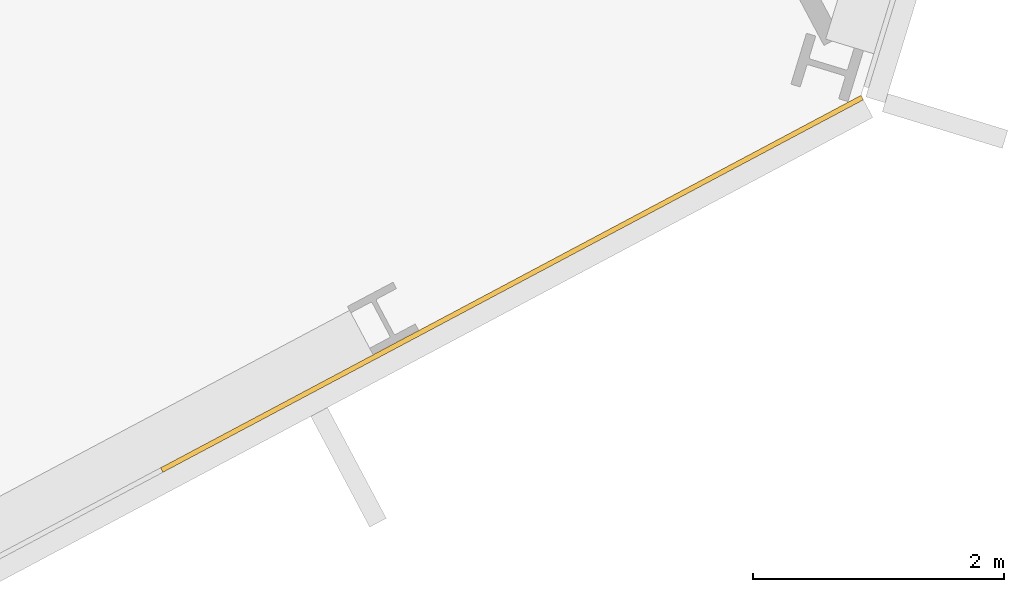
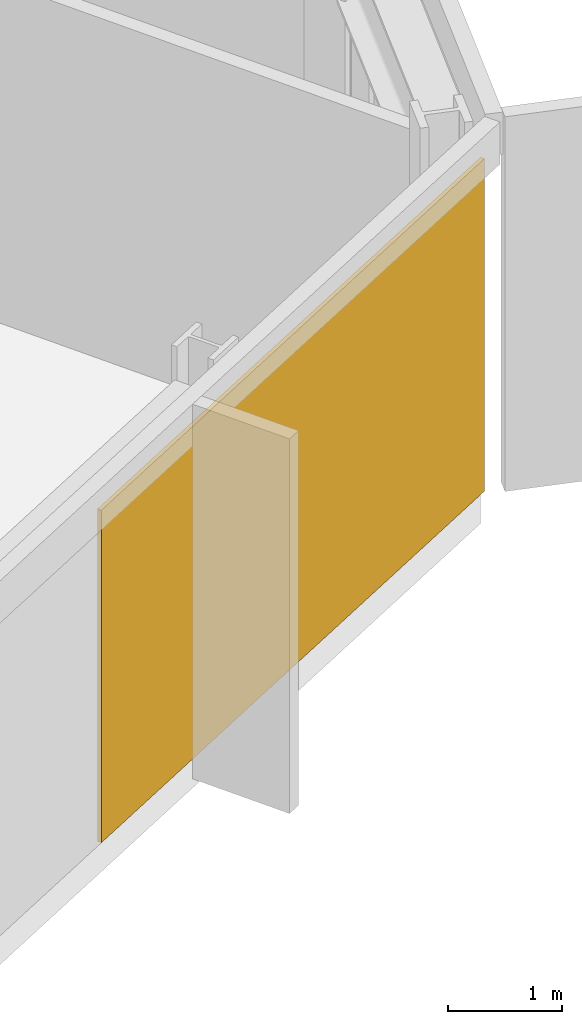
# One storey, part 26 of 28: 1 covering, 1 element without a shape of its own.
"""IFC4 building model written with IfcOpenShell, lengths in metres."""

from ifc_helpers import new_model, si_unit, direction, frame, origin, origin_2d, place, context, subcontext, project, spatial, rectangle, extrude, material, layer, layer_set, type_object, element, aggregate, save


model = new_model("IFC4")

# Units and contexts
model_context = context("Model", 3, precision=1e-05, world=origin(), true_north=direction((0.0, 1.0)))
body_context = subcontext(model_context, "Body", "Model", "MODEL_VIEW")
ifc_project = project(units=[si_unit("LENGTHUNIT", "METRE"), si_unit("AREAUNIT", "SQUARE_METRE"), si_unit("VOLUMEUNIT", "CUBIC_METRE"), si_unit("PLANEANGLEUNIT", "RADIAN"), si_unit("MASSUNIT", "GRAM", prefix="KILO")], contexts=[model_context])

# Site, building, storey
site_placement = place(None, origin())
site = spatial("IfcSite", under=ifc_project, at=site_placement, CompositionType="ELEMENT")
building_placement = place(site_placement, origin())
building = spatial("IfcBuilding", under=site, at=building_placement, Name="Cormorant Relay Tower", CompositionType="ELEMENT")
storey_placement = place(building_placement, frame((0.0, 0.0, 138.199951171875)))
storey = spatial("IfcBuildingStorey", under=building, at=storey_placement, Name="L28", CompositionType="ELEMENT", Elevation=138.199951171875)

# Curtain wall, covering
ifc_material_1 = material(Name="Aluminium 6063-T6 anodised bronze", Category="aluminium")
ifc_layer_1 = layer(ifc_material_1, 0.199951171875)
ifc_layer_set_1 = layer_set([ifc_layer_1], Name="CW1 unitised bronze curtain wall with vertical fins")
curtain_wall_type = type_object("IfcCurtainWallType", Name="CW1 unitised bronze curtain wall with vertical fins", PredefinedType="NOTDEFINED", material=ifc_layer_set_1)
curtain_wall_placement = place(storey_placement, origin())
curtain_wall = element("IfcCurtainWall", 1, at=curtain_wall_placement, inside=storey, type_object=curtain_wall_type, Name="CW1 curtain wall 4", PredefinedType="NOTDEFINED")
ifc_material_2 = material(Name="Pale bronze anodised aluminium insulated panel", Category="aluminium")
ifc_layer_2 = layer(ifc_material_2, 0.0400390625)
ifc_layer_set_2 = layer_set([ifc_layer_2], Name="CW1 pale bronze insulated panel 40")
covering_type = type_object("IfcCoveringType", Name="CW1 pale bronze insulated panel 40", PredefinedType="CLADDING", material=ifc_layer_set_2)
covering_placement = place(storey_placement, frame((52.93310546875, 6.603515625, 0.0), z_axis=(0.0, 0.0, 1.0), x_axis=(0.882947592859, 0.469471562786, 0.0)))
covering = element("IfcCovering", 2, at=covering_placement, type_object=covering_type, Name="CW1 panel S05", PredefinedType="CLADDING", context=body_context, shape_type="SweptSolid", body=[
    extrude(rectangle(XDim=6.324951171875, YDim=0.0400390625, at=origin_2d()), origin(), (0.0, 0.0, 1.0), 3.550048828125),
])
aggregate(curtain_wall, [covering])

save(model, "model.ifc")
